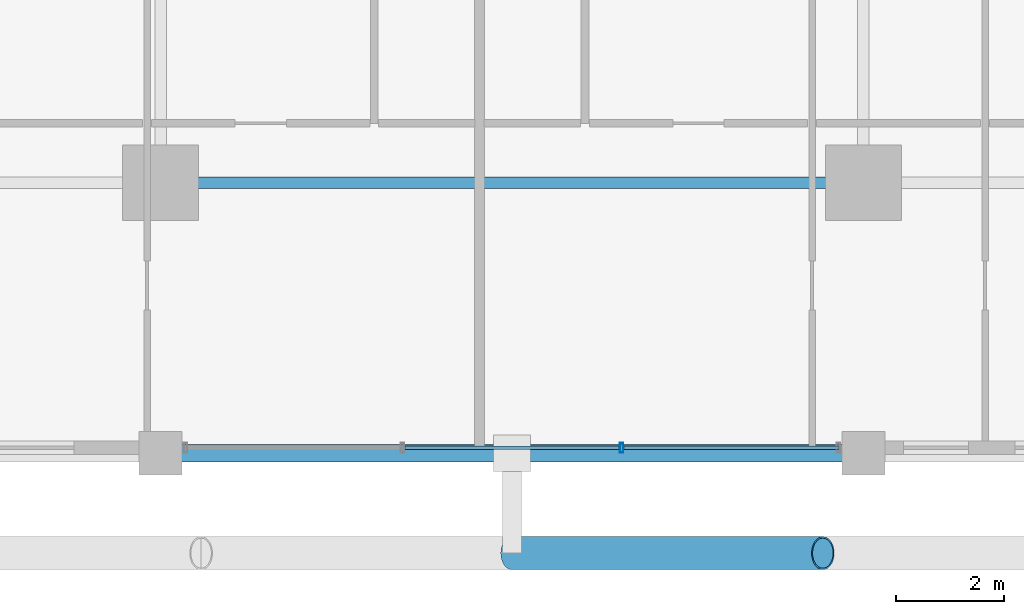
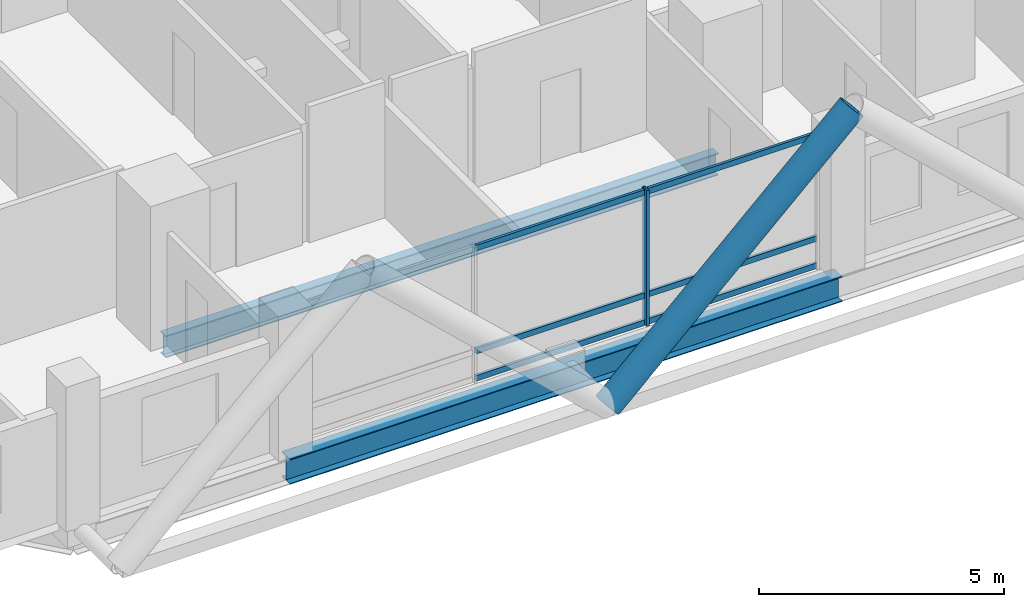
# One storey, part 3 of 27: 8 members, 2 beams, 1 element without a shape of its own.
"""IFC4 building model written with IfcOpenShell, lengths in metres."""

import ifcopenshell
import ifcopenshell.guid

model = None  # the IFC model being written
_history = None  # IfcOwnerHistory: only IFC2X3 demands one
_inside = {}  # id of a spatial element -> (the spatial element, [elements in it])
_under = {}  # id of a project, library or spatial element -> (it, [spatial elements below it])
_declared = {}  # id of a project -> (the project, [libraries it declares])
_typed = {}  # id of a type object -> (the type object, [elements of that type])
_made_of = {}  # id of a material, layer set ... -> (it, [elements and type objects made of it])


def new_model(schema):
    """Start an empty IFC model of exactly this schema.

    Asked for "IFC4X3", IfcOpenShell would pick the latest addendum, in which some entities
    have other attributes; the version numbers below select the first issue.
    IFC2X3 requires an IfcOwnerHistory on every rooted entity: one is made here for all.
    """
    global model, _history
    if schema == "IFC4X3":
        model = ifcopenshell.file(schema_version=(4, 3, 0, 0))
    else:
        model = ifcopenshell.file(schema=schema)
    _inside.clear()
    _under.clear()
    _declared.clear()
    _typed.clear()
    _made_of.clear()
    _history = None
    if model.schema == "IFC2X3":
        org = make("IfcOrganization", Name="unknown")
        user = make(
            "IfcPersonAndOrganization",
            ThePerson=make("IfcPerson", FamilyName="unknown"),
            TheOrganization=org,
        )
        app = make(
            "IfcApplication",
            ApplicationDeveloper=org,
            Version="unknown",
            ApplicationFullName="unknown",
            ApplicationIdentifier="unknown",
        )
        _history = make(
            "IfcOwnerHistory",
            OwningUser=user,
            OwningApplication=app,
            ChangeAction="ADDED",
            CreationDate=0,
        )
    return model


def make(cls, **values):
    """One entity of the class cls with the attributes given. An attribute that is None is left unset."""
    return model.create_entity(
        cls, **{name: value for name, value in values.items() if value is not None}
    )


def rooted(cls, **values):
    """An entity with a GlobalId (a new one), such as an element, a storey or a relation."""
    return make(cls, GlobalId=ifcopenshell.guid.new(), OwnerHistory=_history, **values)


def si_unit(unit_type, name, prefix=None):
    """IfcSIUnit, for example si_unit("LENGTHUNIT", "METRE", prefix="MILLI")."""
    return make("IfcSIUnit", UnitType=unit_type, Prefix=prefix, Name=name)


def assignment(units):
    """IfcUnitAssignment: the units of a project."""
    return None if units is None else make("IfcUnitAssignment", Units=units)


def point(xyz):
    """IfcCartesianPoint."""
    return None if xyz is None else make("IfcCartesianPoint", Coordinates=xyz)


def direction(xyz):
    """IfcDirection."""
    return None if xyz is None else make("IfcDirection", DirectionRatios=xyz)


def frame(location, z_axis=None, x_axis=None):
    """IfcAxis2Placement3D, a coordinate frame: its origin and axes. An axis left out is left unset."""
    return make(
        "IfcAxis2Placement3D",
        Location=point(location),
        Axis=direction(z_axis),
        RefDirection=direction(x_axis),
    )


def frame_2d(location, x_axis=None):
    """IfcAxis2Placement2D, a coordinate frame in the plane: its origin and x axis."""
    return make(
        "IfcAxis2Placement2D", Location=point(location), RefDirection=direction(x_axis)
    )


def origin():
    """The frame at (0, 0, 0) with its axes left unset."""
    return frame((0.0, 0.0, 0.0))


def origin_2d():
    """The frame at (0, 0) in the plane with its x axis left unset."""
    return frame_2d((0.0, 0.0))


def place(relative_to, where):
    """IfcLocalPlacement: puts the frame where relative to a parent placement (None: the world)."""
    return make(
        "IfcLocalPlacement", PlacementRelTo=relative_to, RelativePlacement=where
    )


def context(
    kind, dimensions, precision=None, world=None, true_north=None, identifier=None
):
    """IfcGeometricRepresentationContext, for example the 3D "Model" context."""
    return make(
        "IfcGeometricRepresentationContext",
        ContextIdentifier=identifier,
        ContextType=kind,
        CoordinateSpaceDimension=dimensions,
        Precision=precision,
        WorldCoordinateSystem=world,
        TrueNorth=true_north,
    )


def subcontext(parent, identifier, kind, view, scale=None):
    """IfcGeometricRepresentationSubContext, for example "Body" below "Model"."""
    return make(
        "IfcGeometricRepresentationSubContext",
        ContextIdentifier=identifier,
        ContextType=kind,
        ParentContext=parent,
        TargetScale=scale,
        TargetView=view,
    )


def project(units=None, contexts=None):
    """IfcProject with its units and contexts."""
    return rooted(
        "IfcProject",
        Name="project",
        RepresentationContexts=contexts,
        UnitsInContext=assignment(units),
    )


def spatial(cls, under=None, at=None, **own):
    """A site, building, storey or space (cls), placed at a placement, below another one or the project."""
    s = rooted(cls, ObjectPlacement=at, **own)
    if under is not None:
        _under.setdefault(under.id(), (under, []))[1].append(s)
    return s


def profile(cls, at=None, kind="AREA", **sizes):
    """A parametric profile (cls). Its sizes go by their IFC names, for example OverallWidth=200.0."""
    return make(cls, ProfileType=kind, Position=at, **sizes)


def hollow_rectangle(**sizes):
    """IfcRectangleHollowProfileDef."""
    return profile("IfcRectangleHollowProfileDef", **sizes)


def hollow_circle(**sizes):
    """IfcCircleHollowProfileDef."""
    return profile("IfcCircleHollowProfileDef", **sizes)


def i_section(**sizes):
    """IfcIShapeProfileDef."""
    return profile("IfcIShapeProfileDef", **sizes)


def extrude(swept, where, along, depth):
    """IfcExtrudedAreaSolid: the profile swept, set in the frame where, extruded along a direction by depth."""
    return make(
        "IfcExtrudedAreaSolid",
        SweptArea=swept,
        Position=where,
        ExtrudedDirection=direction(along),
        Depth=depth,
    )


def shape(context_of_items, identifier, shape_type, items):
    """IfcShapeRepresentation: the items that make up one representation, for example the "Body"."""
    return make(
        "IfcShapeRepresentation",
        ContextOfItems=context_of_items,
        RepresentationIdentifier=identifier,
        RepresentationType=shape_type,
        Items=items,
    )


def material(Name=None, Category=None):
    """IfcMaterial."""
    return make("IfcMaterial", Name=Name, Category=Category)


def layer(
    of_material, thickness, ventilated=None, Name=None, Category=None, Priority=None
):
    """IfcMaterialLayer: one layer of a wall or slab, of a material (None: an air gap)."""
    return make(
        "IfcMaterialLayer",
        Material=of_material,
        LayerThickness=thickness,
        IsVentilated=ventilated,
        Name=Name,
        Category=Category,
        Priority=Priority,
    )


def layer_set(layers, Name=None):
    """IfcMaterialLayerSet."""
    return make("IfcMaterialLayerSet", MaterialLayers=layers, LayerSetName=Name)


def material_profile(
    of_material, cross_section, Name=None, Category=None, Priority=None
):
    """IfcMaterialProfile: a cross section and its material."""
    return make(
        "IfcMaterialProfile",
        Name=Name,
        Material=of_material,
        Profile=cross_section,
        Priority=Priority,
        Category=Category,
    )


def profile_set(profiles, Name=None, composite=None):
    """IfcMaterialProfileSet."""
    return make(
        "IfcMaterialProfileSet",
        Name=Name,
        MaterialProfiles=profiles,
        CompositeProfile=composite,
    )


def made_of(thing, what):
    """Note that an element or type object is made of a material, layer set ...; save() writes the relation."""
    if what is not None:
        _made_of.setdefault(what.id(), (what, []))[1].append(thing)
    return thing


def type_object(cls, material=None, **own):
    """A type object (cls), such as IfcWallType, which elements share."""
    return made_of(rooted(cls, **own), material)


def element(
    cls,
    number,
    at=None,
    inside=None,
    cuts=None,
    type_object=None,
    material=None,
    context=None,
    identifier="Body",
    shape_type=None,
    held_by="IfcProductDefinitionShape",
    body=None,
    shapes=None,
    **own,
):
    """One element of the class cls, such as IfcWall. Its Tag is "e" and its number.

    at: its placement. inside: the storey or other place that contains it. cuts: it is an
    opening in that element (IfcRelVoidsElement). A single representation is given by context,
    identifier, shape_type and body (its items); several are given by shapes. held_by: the class
    of the entity that holds the representations. save() writes the other relations.
    """
    e = rooted(cls, Tag="e%d" % number, ObjectPlacement=at, **own)
    if body is not None:
        shapes = [shape(context, identifier, shape_type, body)]
    if shapes is not None:
        e.Representation = make(held_by, Representations=shapes)
    if inside is not None:
        _inside.setdefault(inside.id(), (inside, []))[1].append(e)
    if cuts is not None:
        rooted(
            "IfcRelVoidsElement", RelatingBuildingElement=cuts, RelatedOpeningElement=e
        )
    if type_object is not None:
        _typed.setdefault(type_object.id(), (type_object, []))[1].append(e)
    return made_of(e, material)


def aggregate(whole, parts):
    """IfcRelAggregates: a whole, such as a stair, and the parts it consists of."""
    return rooted("IfcRelAggregates", RelatingObject=whole, RelatedObjects=parts)


def save(model, path):
    """Write the relations noted so far, then the file.

    IfcRelAggregates (storeys below a building ...), IfcRelContainedInSpatialStructure (elements
    in a storey), IfcRelDefinesByType, IfcRelAssociatesMaterial and IfcRelDeclares: one each for
    every whole, place, type object, material and project.
    """
    for whole, parts in _under.values():
        aggregate(whole, parts)
    for where, things in _inside.values():
        rooted(
            "IfcRelContainedInSpatialStructure",
            RelatedElements=things,
            RelatingStructure=where,
        )
    for kind, things in _typed.values():
        rooted("IfcRelDefinesByType", RelatedObjects=things, RelatingType=kind)
    for what, things in _made_of.values():
        rooted("IfcRelAssociatesMaterial", RelatedObjects=things, RelatingMaterial=what)
    for by, libraries in _declared.values():
        rooted("IfcRelDeclares", RelatingContext=by, RelatedDefinitions=libraries)
    model.write(path)


model = new_model("IFC4")

# Units and contexts
model_context = context("Model", 3, precision=1e-05, world=origin(), true_north=direction((0.0, 1.0)))
body_context = subcontext(model_context, "Body", "Model", "MODEL_VIEW")
ifc_project = project(units=[si_unit("LENGTHUNIT", "METRE"), si_unit("AREAUNIT", "SQUARE_METRE"), si_unit("VOLUMEUNIT", "CUBIC_METRE"), si_unit("PLANEANGLEUNIT", "RADIAN"), si_unit("MASSUNIT", "GRAM", prefix="KILO")], contexts=[model_context])

# Site, building, storey
site_placement = place(None, origin())
site = spatial("IfcSite", under=ifc_project, at=site_placement, CompositionType="ELEMENT")
building_placement = place(site_placement, origin())
building = spatial("IfcBuilding", under=site, at=building_placement, Name="Barlavira Tower and Art Museum", CompositionType="ELEMENT")
storey_placement = place(building_placement, frame((0.0, 0.0, 72.0)))
storey = spatial("IfcBuildingStorey", under=building, at=storey_placement, Name="L17", CompositionType="ELEMENT", Elevation=72.0)

# Curtain wall, members
ifc_material_1 = material(Name="Low-iron coastal laminated glass", Category="glass")
ifc_layer = layer(ifc_material_1, 0.179931640625, Name="Low-iron coastal laminated glass")
ifc_layer_set = layer_set([ifc_layer], Name="Low-iron coastal laminated glass")
curtain_wall_type = type_object("IfcCurtainWallType", Name="Pale-Metal Unitised Curtain Wall Zone 1", PredefinedType="NOTDEFINED", material=ifc_layer_set)
curtain_wall_placement = place(storey_placement, origin())
curtain_wall = element("IfcCurtainWall", 1, at=curtain_wall_placement, inside=storey, type_object=curtain_wall_type, Name="L17 Curtain Wall CW1-L17-S-B3", PredefinedType="NOTDEFINED")
ifc_material_2 = material(Name="Pale anodised aluminium", Category="aluminium")
ifc_material_profile_1 = material_profile(ifc_material_2, hollow_rectangle(XDim=0.06494140625, YDim=0.179931640625, WallThickness=0.00390625, at=origin_2d()), Name="ALU-MULL 65x180x4")
ifc_profile_set_1 = profile_set([ifc_material_profile_1], Name="Pale anodised aluminium")
member_type_1 = type_object("IfcMemberType", Name="Curtain Wall Pale-Metal Mullion 65x180", PredefinedType="MULLION", material=ifc_profile_set_1)
member_1_placement = place(storey_placement, frame((2.026611328125, -24.89990234375, 0.0), z_axis=(0.0, 0.0, 1.0), x_axis=(1.0, 0.0, 0.0)))
member_1 = element("IfcMember", 2, at=member_1_placement, type_object=member_type_1, Name="CW1-L17-S-B3 Mullion 2", PredefinedType="MULLION", context=body_context, shape_type="SweptSolid", body=[
    extrude(hollow_rectangle(XDim=0.06494140625, YDim=0.179931640625, WallThickness=0.00390625, at=origin_2d()), origin(), (0.0, 0.0, 1.0), 3.3798828125),
])
ifc_material_profile_2 = material_profile(ifc_material_2, hollow_rectangle(XDim=0.06494140625, YDim=0.139892578125, WallThickness=0.00390625, at=origin_2d()), Name="ALU-TRAN 65x140x4")
ifc_profile_set_2 = profile_set([ifc_material_profile_2], Name="Pale anodised aluminium")
member_type_2 = type_object("IfcMemberType", Name="Curtain Wall Pale-Metal Transom 65x140", PredefinedType="USERDEFINED", material=ifc_profile_set_2)
member_2_placement = place(storey_placement, frame((-1.981689453125, -24.89990234375, 0.070068359375), z_axis=(1.0, 0.0, 0.0), x_axis=(0.0, 1.0, 0.0)))
member_2 = element("IfcMember", 3, at=member_2_placement, type_object=member_type_2, Name="CW1-L17-S-B3 Transom 1.1", ObjectType="TRANSOM", PredefinedType="USERDEFINED", context=body_context, shape_type="SweptSolid", body=[
    extrude(hollow_rectangle(XDim=0.06494140625, YDim=0.139892578125, WallThickness=0.00390625, at=origin_2d()), origin(), (0.0, 0.0, 1.0), 3.96337890625),
])
member_3_placement = place(storey_placement, frame((-1.981689453125, -24.89990234375, 0.743896484375), z_axis=(1.0, 0.0, 0.0), x_axis=(0.0, 1.0, 0.0)))
member_3 = element("IfcMember", 4, at=member_3_placement, type_object=member_type_2, Name="CW1-L17-S-B3 Transom 1.2", ObjectType="TRANSOM", PredefinedType="USERDEFINED", context=body_context, shape_type="SweptSolid", body=[
    extrude(hollow_rectangle(XDim=0.06494140625, YDim=0.139892578125, WallThickness=0.00390625, at=origin_2d()), origin(), (0.0, 0.0, 1.0), 3.96337890625),
])
member_4_placement = place(storey_placement, frame((-1.981689453125, -24.89990234375, 3.31005859375), z_axis=(1.0, 0.0, 0.0), x_axis=(0.0, 1.0, 0.0)))
member_4 = element("IfcMember", 5, at=member_4_placement, type_object=member_type_2, Name="CW1-L17-S-B3 Transom 1.3", ObjectType="TRANSOM", PredefinedType="USERDEFINED", context=body_context, shape_type="SweptSolid", body=[
    extrude(hollow_rectangle(XDim=0.06494140625, YDim=0.139892578125, WallThickness=0.00390625, at=origin_2d()), origin(), (0.0, 0.0, 1.0), 3.96337890625),
])
member_5_placement = place(storey_placement, frame((2.07177734375, -24.89990234375, 0.070068359375), z_axis=(1.0, 0.0, 0.0), x_axis=(0.0, 1.0, 0.0)))
member_5 = element("IfcMember", 6, at=member_5_placement, type_object=member_type_2, Name="CW1-L17-S-B3 Transom 2.1", ObjectType="TRANSOM", PredefinedType="USERDEFINED", context=body_context, shape_type="SweptSolid", body=[
    extrude(hollow_rectangle(XDim=0.06494140625, YDim=0.139892578125, WallThickness=0.00390625, at=origin_2d()), origin(), (0.0, 0.0, 1.0), 3.963134765625),
])
member_6_placement = place(storey_placement, frame((2.07177734375, -24.89990234375, 0.743896484375), z_axis=(1.0, 0.0, 0.0), x_axis=(0.0, 1.0, 0.0)))
member_6 = element("IfcMember", 7, at=member_6_placement, type_object=member_type_2, Name="CW1-L17-S-B3 Transom 2.2", ObjectType="TRANSOM", PredefinedType="USERDEFINED", context=body_context, shape_type="SweptSolid", body=[
    extrude(hollow_rectangle(XDim=0.06494140625, YDim=0.139892578125, WallThickness=0.00390625, at=origin_2d()), origin(), (0.0, 0.0, 1.0), 3.963134765625),
])
member_7_placement = place(storey_placement, frame((2.07177734375, -24.89990234375, 3.31005859375), z_axis=(1.0, 0.0, 0.0), x_axis=(0.0, 1.0, 0.0)))
member_7 = element("IfcMember", 8, at=member_7_placement, type_object=member_type_2, Name="CW1-L17-S-B3 Transom 2.3", ObjectType="TRANSOM", PredefinedType="USERDEFINED", context=body_context, shape_type="SweptSolid", body=[
    extrude(hollow_rectangle(XDim=0.06494140625, YDim=0.139892578125, WallThickness=0.00390625, at=origin_2d()), origin(), (0.0, 0.0, 1.0), 3.963134765625),
])
aggregate(curtain_wall, [member_1, member_2, member_3, member_4, member_5, member_6, member_7])

# Member
ifc_material_3 = material(Name="Steel S355", Category="steel")
ifc_material_profile_3 = material_profile(ifc_material_3, hollow_circle(Radius=0.304931640625, WallThickness=0.028076171875, at=origin_2d()), Name="CHS 610.0x28.0")
ifc_profile_set_3 = profile_set([ifc_material_profile_3], Name="Steel S355")
member_type_3 = type_object("IfcMemberType", Name="Pale-Metal Exoskeleton Diagrid Tube CHS 610x28 Steel S355", PredefinedType="BRACE", material=ifc_profile_set_3)
member_8_placement = place(storey_placement, frame((0.0, -26.85009765625, -0.1201171875), z_axis=(0.728934650808, 0.0, 0.684583285548), x_axis=(0.0, 1.0, 0.0)))
element("IfcMember", 9, at=member_8_placement, inside=storey, type_object=member_type_3, Name="L17 Exoskeleton Diagrid Tube S", PredefinedType="BRACE", context=body_context, shape_type="SweptSolid", body=[
    extrude(hollow_circle(Radius=0.304931640625, WallThickness=0.028076171875, at=origin_2d()), origin(), (0.0, 0.0, 1.0), 7.88818359375),
])

# Beams
ifc_material_profile_4 = material_profile(ifc_material_3, i_section(OverallWidth=0.327880859375, OverallDepth=0.62890625, WebThickness=0.013916015625, FlangeThickness=0.021484375, at=origin_2d()), Name="W610x174.0")
ifc_profile_set_4 = profile_set([ifc_material_profile_4], Name="Steel S355")
beam_type_1 = type_object("IfcBeamType", Name="Perimeter Spandrel Edge Beam W610x174 Steel S355", PredefinedType="SPANDREL", material=ifc_profile_set_4)
beam_1_placement = place(storey_placement, frame((-6.5, -25.0, -0.534423828125), z_axis=(1.0, 0.0, 0.0), x_axis=(0.0, 1.0, 0.0)))
element("IfcBeam", 10, at=beam_1_placement, inside=storey, type_object=beam_type_1, Name="L17 Spandrel 2", PredefinedType="SPANDREL", context=body_context, shape_type="SweptSolid", body=[
    extrude(i_section(OverallWidth=0.327880859375, OverallDepth=0.62890625, WebThickness=0.013916015625, FlangeThickness=0.021484375, at=origin_2d()), origin(), (0.0, 0.0, 1.0), 13.0),
])
ifc_material_profile_5 = material_profile(ifc_material_3, i_section(OverallWidth=0.214111328125, OverallDepth=0.549072265625, WebThickness=0.0146484375, FlangeThickness=0.023681640625, at=origin_2d()), Name="W530x138.0")
ifc_profile_set_5 = profile_set([ifc_material_profile_5], Name="Steel S355")
beam_type_2 = type_object("IfcBeamType", Name="Zone 1 Primary Floor Girder W530x138 Steel S355", PredefinedType="BEAM", material=ifc_profile_set_5)
beam_2_placement = place(storey_placement, frame((-6.5, -20.0, -0.494384765625), z_axis=(1.0, 0.0, 0.0), x_axis=(0.0, 1.0, 0.0)))
element("IfcBeam", 11, at=beam_2_placement, inside=storey, type_object=beam_type_2, Name="L17 Girder M-S2", PredefinedType="BEAM", context=body_context, shape_type="SweptSolid", body=[
    extrude(i_section(OverallWidth=0.214111328125, OverallDepth=0.549072265625, WebThickness=0.0146484375, FlangeThickness=0.023681640625, at=origin_2d()), origin(), (0.0, 0.0, 1.0), 13.0),
])

save(model, "model.ifc")
